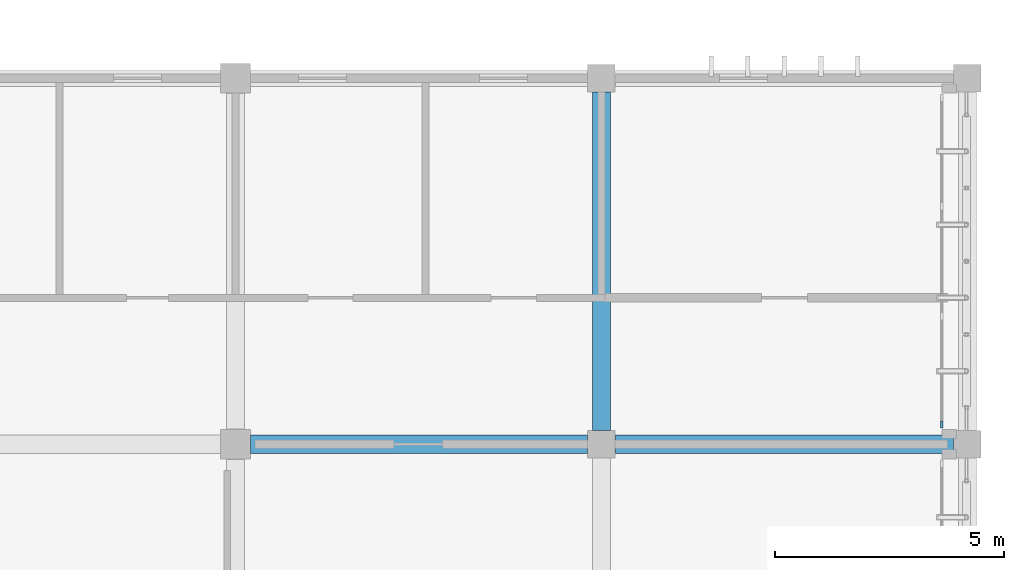
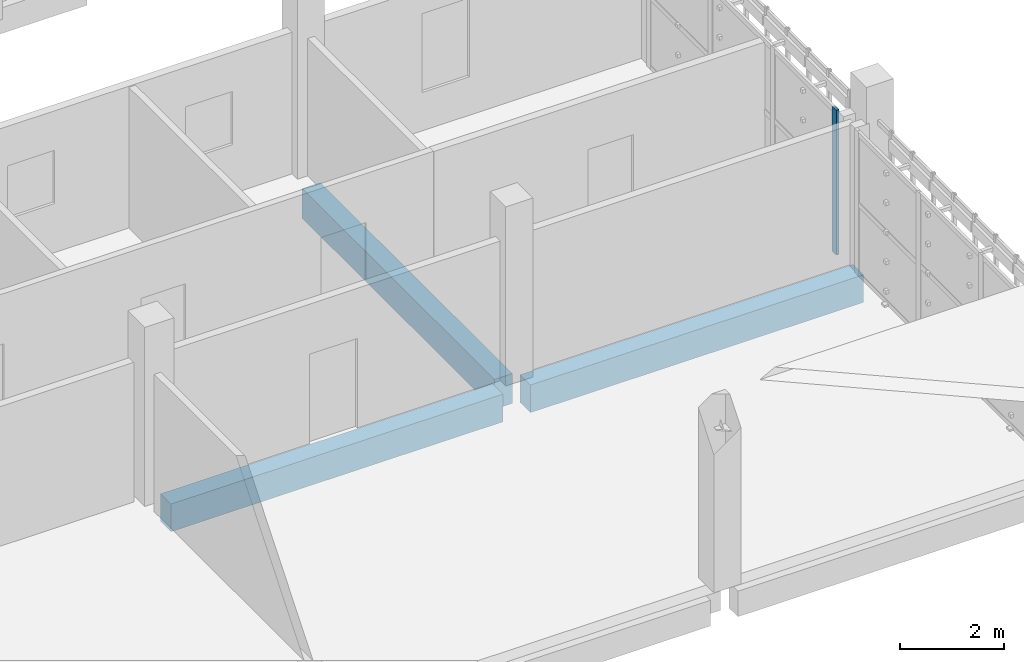
# One storey, part 49 of 83: 3 beams, 1 member, 1 element without a shape of its own.
"""IFC4 building model written with IfcOpenShell, lengths in metres."""

from ifc_helpers import new_model, si_unit, direction, frame, origin, origin_2d, place, context, subcontext, project, spatial, rectangle, extrude, material, layer, layer_set, material_profile, profile_set, type_object, element, aggregate, save


model = new_model("IFC4")

# Units and contexts
model_context = context("Model", 3, precision=1e-05, world=origin(), true_north=direction((0.0, 1.0)))
body_context = subcontext(model_context, "Body", "Model", "MODEL_VIEW")
ifc_project = project(units=[si_unit("LENGTHUNIT", "METRE"), si_unit("AREAUNIT", "SQUARE_METRE"), si_unit("VOLUMEUNIT", "CUBIC_METRE"), si_unit("PLANEANGLEUNIT", "RADIAN"), si_unit("MASSUNIT", "GRAM", prefix="KILO")], contexts=[model_context])

# Site, building, storey
site_placement = place(None, origin())
site = spatial("IfcSite", under=ifc_project, at=site_placement, CompositionType="ELEMENT")
building_placement = place(site_placement, origin())
building = spatial("IfcBuilding", under=site, at=building_placement, Name="Jelvoka-Kovrelna Polytechnic", CompositionType="ELEMENT")
storey_placement = place(building_placement, frame((0.0, 0.0, 13.800048828125)))
storey = spatial("IfcBuildingStorey", under=building, at=storey_placement, Name="L04", CompositionType="ELEMENT", Elevation=13.800048828125)

# Beams
ifc_material_1 = material(Name="Concrete C40/50", Category="concrete")
ifc_material_profile_1 = material_profile(ifc_material_1, rectangle(XDim=0.39990234375, YDim=0.64990234375, at=origin_2d()), Name="RC 400x650")
ifc_profile_set_1 = profile_set([ifc_material_profile_1], Name="Concrete C40/50")
beam_type_1 = type_object("IfcBeamType", Name="Beam_RC_400x650", PredefinedType="BEAM", material=ifc_profile_set_1)
beam_1_placement = place(storey_placement, frame((184.330078125, 40.0, -0.574951171875), z_axis=(1.0, 0.0, 0.0), x_axis=(0.0, 1.0, 0.0)))
element("IfcBeam", 1, at=beam_1_placement, inside=storey, type_object=beam_type_1, Name="L04 beam 1227", PredefinedType="BEAM", context=body_context, shape_type="SweptSolid", body=[
    extrude(rectangle(XDim=0.39990234375, YDim=0.64990234375, at=origin_2d()), origin(), (0.0, 0.0, 1.0), 7.364990234375),
])
beam_2_placement = place(storey_placement, frame((192.304931640625, 40.0, -0.574951171875), z_axis=(1.0, 0.0, 0.0), x_axis=(0.0, 1.0, 0.0)))
element("IfcBeam", 2, at=beam_2_placement, inside=storey, type_object=beam_type_1, Name="L04 beam 1228", PredefinedType="BEAM", context=body_context, shape_type="SweptSolid", body=[
    extrude(rectangle(XDim=0.39990234375, YDim=0.64990234375, at=origin_2d()), origin(), (0.0, 0.0, 1.0), 7.39013671875),
])
ifc_material_2 = material(Name="Concrete C40/50", Category="concrete")
ifc_material_profile_2 = material_profile(ifc_material_2, rectangle(XDim=0.39990234375, YDim=0.699951171875, at=origin_2d()), Name="RC 400x700")
ifc_profile_set_2 = profile_set([ifc_material_profile_2], Name="Concrete C40/50")
beam_type_2 = type_object("IfcBeamType", Name="Beam_RC_400x700", PredefinedType="BEAM", material=ifc_profile_set_2)
beam_3_placement = place(storey_placement, frame((192.0, 40.304931640625, -0.60009765625), z_axis=(0.0, 1.0, 0.0), x_axis=(-1.0, 0.0, 0.0)))
element("IfcBeam", 3, at=beam_3_placement, inside=storey, type_object=beam_type_2, Name="L04 beam 1255", PredefinedType="BEAM", context=body_context, shape_type="SweptSolid", body=[
    extrude(rectangle(XDim=0.39990234375, YDim=0.699951171875, at=origin_2d()), origin(), (0.0, 0.0, 1.0), 7.39013671875),
])

# Curtain wall, member
ifc_material_3 = material(Name="Anodised aluminium 6063-T6", Category="aluminium")
ifc_layer = layer(ifc_material_3, 0.159912109375)
ifc_layer_set = layer_set([ifc_layer], Name="Anodised aluminium 6063-T6")
curtain_wall_type = type_object("IfcCurtainWallType", Name="CW_Recessed_A", PredefinedType="NOTDEFINED", material=ifc_layer_set)
curtain_wall_placement = place(storey_placement, origin())
curtain_wall = element("IfcCurtainWall", 4, at=curtain_wall_placement, inside=storey, type_object=curtain_wall_type, Name="L04 glazed curtain wall 069", PredefinedType="NOTDEFINED")
ifc_material_4 = material(Name="Anodised aluminium 6063-T6", Category="aluminium")
ifc_material_profile_3 = material_profile(ifc_material_4, rectangle(XDim=0.06005859375, YDim=0.159912109375, at=origin_2d()), Name="ALU 60x160")
ifc_profile_set_3 = profile_set([ifc_material_profile_3], Name="Anodised aluminium 6063-T6")
member_type = type_object("IfcMemberType", Name="Mullion_M-01", PredefinedType="MULLION", material=ifc_profile_set_3)
member_placement = place(storey_placement, frame((199.43994140625, 40.429931640625, -0.02490234375), z_axis=(0.0, 0.0, 1.0), x_axis=(1.0, 0.0, 0.0)))
member = element("IfcMember", 5, at=member_placement, type_object=member_type, Name="CW-01 mullion 4", PredefinedType="MULLION", context=body_context, shape_type="SweptSolid", body=[
    extrude(rectangle(XDim=0.06005859375, YDim=0.159912109375, at=origin_2d()), origin(), (0.0, 0.0, 1.0), 3.39990234375),
])
aggregate(curtain_wall, [member])

save(model, "model.ifc")
